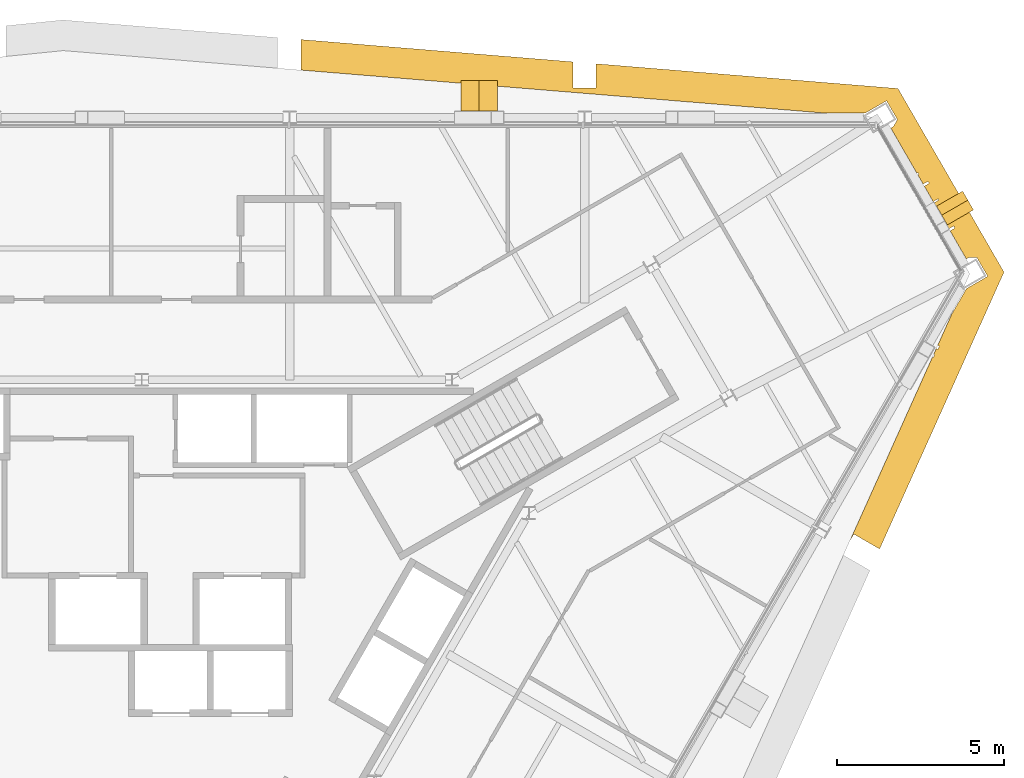
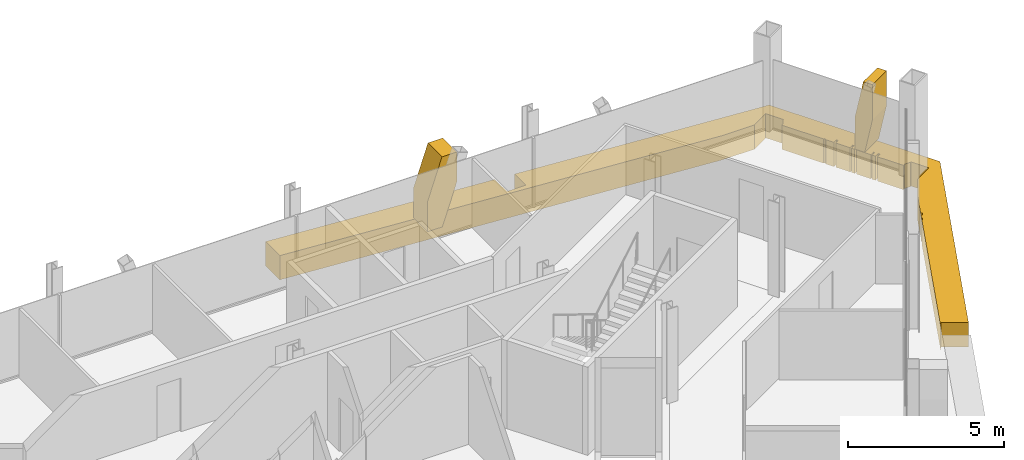
# One storey, part 14 of 14: 3 coverings.
"""IFC4 building model written with IfcOpenShell, lengths in metres."""

from ifc_helpers import new_model, si_unit, direction, frame, origin, place, context, subcontext, project, spatial, polyline, outline, extrude, material, layer, layer_set, type_object, element, save


model = new_model("IFC4")

# Units and contexts
model_context = context("Model", 3, precision=1e-05, world=origin(), true_north=direction((0.0, 1.0)))
body_context = subcontext(model_context, "Body", "Model", "MODEL_VIEW")
ifc_project = project(units=[si_unit("LENGTHUNIT", "METRE"), si_unit("AREAUNIT", "SQUARE_METRE"), si_unit("VOLUMEUNIT", "CUBIC_METRE"), si_unit("PLANEANGLEUNIT", "RADIAN"), si_unit("MASSUNIT", "GRAM", prefix="KILO")], contexts=[model_context])

# Site, building, storey
site_placement = place(None, origin())
site = spatial("IfcSite", under=ifc_project, at=site_placement, CompositionType="ELEMENT")
building_placement = place(site_placement, origin())
building = spatial("IfcBuilding", under=site, at=building_placement, Name="Verrane Prism Tower", CompositionType="ELEMENT")
storey_placement = place(building_placement, frame((0.0, 0.0, 221.199951171875)))
storey = spatial("IfcBuildingStorey", under=building, at=storey_placement, Name="L55", CompositionType="ELEMENT", Elevation=221.199951171875)

# Coverings
ifc_material_1 = material(Name="Warm limestone cladding", Category="masonry")
ifc_layer_1 = layer(ifc_material_1, 0.89990234375)
ifc_layer_set_1 = layer_set([ifc_layer_1], Name="Stone brace fin 900")
covering_type_1 = type_object("IfcCoveringType", Name="Stone brace fin 900", PredefinedType="CLADDING", material=ifc_layer_set_1)
covering_1_placement = place(storey_placement, frame((9.530029296875, 16.483154296875, 0.0), z_axis=(0.0, 0.0, 1.0), x_axis=(1.0, 0.0, 0.0)))
element("IfcCovering", 1, at=covering_1_placement, inside=storey, type_object=covering_type_1, Name="Stone brace fin N2 L55", PredefinedType="CLADDING", context=body_context, shape_type="SweptSolid", body=[
    extrude(outline(polyline([(1.087158203125, 2.75), (0.53369140625, 2.75), (0.0, 1.1806640625), (0.0, 0.0), (0.549072265625, 0.0), (1.087158203125, 1.58203125), (1.087158203125, 2.75)])), frame((0.0, 0.449951171875, 0.0), z_axis=(0.0, -1.0, 0.0), x_axis=(1.0, 0.0, 0.0)), (0.0, 0.0, 1.0), 0.89990234375),
])
covering_2_placement = place(storey_placement, frame((24.119873046875, 13.40869140625, 0.0), z_axis=(0.0, 0.0, 1.0), x_axis=(0.498981625001, -0.866612565055, 0.0)))
element("IfcCovering", 2, at=covering_2_placement, inside=storey, type_object=covering_type_1, Name="Stone brace fin NE1 L55", PredefinedType="CLADDING", context=body_context, shape_type="SweptSolid", body=[
    extrude(outline(polyline([(0.646728515625, 2.75), (0.310546875, 2.75), (0.0, 1.257568359375), (0.0, 0.0), (0.362548828125, 0.0), (0.646728515625, 1.36572265625), (0.646728515625, 2.75)])), frame((0.0, 0.449951171875, 0.0), z_axis=(0.0, -1.0, 0.0), x_axis=(1.0, 0.0, 0.0)), (0.0, 0.0, 1.0), 0.89990234375),
])
ifc_material_2 = material(Name="Warm limestone cladding", Category="masonry")
ifc_layer_2 = layer(ifc_material_2, 0.449951171875)
ifc_layer_set_2 = layer_set([ifc_layer_2], Name="Stone spandrel band 450")
covering_type_2 = type_object("IfcCoveringType", Name="Stone spandrel band 450", PredefinedType="CLADDING", material=ifc_layer_set_2)
covering_3_placement = place(storey_placement, frame((0.0, 0.0, -0.949951171875)))
element("IfcCovering", 3, at=covering_3_placement, inside=storey, type_object=covering_type_2, Name="Stone spandrel band L55 part 2", PredefinedType="CLADDING", context=body_context, shape_type="SweptSolid", body=[
    extrude(outline(polyline([(4.755615234375, 18.159912109375), (4.755615234375, 17.2470703125), (20.403076171875, 15.96337890625), (21.60107421875, 15.96337890625), (22.2373046875, 16.330810546875), (22.5673828125, 15.75927734375), (22.54833984375, 15.748291015625), (22.4375, 15.55908203125), (22.363525390625, 15.516357421875), (23.138916015625, 14.17333984375), (23.188232421875, 14.168701171875), (23.181396484375, 14.099609375), (23.330078125, 13.84228515625), (23.4736328125, 13.9248046875), (23.509033203125, 13.86328125), (23.365478515625, 13.780517578125), (23.630859375, 13.321044921875), (23.77392578125, 13.4033203125), (23.79638671875, 13.364501953125), (23.6533203125, 13.2822265625), (23.71484375, 13.175537109375), (23.85791015625, 13.2578125), (23.893310546875, 13.196044921875), (23.75048828125, 13.11376953125), (24.015869140625, 12.654296875), (24.158203125, 12.736083984375), (24.1806640625, 12.697265625), (24.038330078125, 12.615478515625), (24.099853515625, 12.5087890625), (24.2421875, 12.590576171875), (24.277587890625, 12.52880859375), (24.135498046875, 12.447021484375), (24.619140625, 11.609130859375), (24.689453125, 11.64990234375), (24.908447265625, 11.64990234375), (24.927490234375, 11.660888671875), (25.25732421875, 11.089111328125), (24.624267578125, 10.7236328125), (24.182861328125, 9.958984375), (23.764892578125, 9.029052734375), (23.8193359375, 8.997802734375), (23.765625, 8.904296875), (23.720458984375, 8.930419921875), (23.64990234375, 8.773193359375), (23.679931640625, 8.755859375), (23.6240234375, 8.658935546875), (23.603759765625, 8.67041015625), (21.16064453125, 3.2333984375), (21.167236328125, 3.22998046875), (21.26025390625, 3.39111328125), (22.029296875, 2.947265625), (25.744140625, 11.2138671875), (22.577880859375, 16.69775390625), (13.56689453125, 17.43701171875), (13.56689453125, 16.714111328125), (12.866943359375, 16.714111328125), (12.866943359375, 17.494384765625), (4.755615234375, 18.159912109375)])), origin(), (0.0, 0.0, 1.0), 0.949951171875),
])

save(model, "model.ifc")
